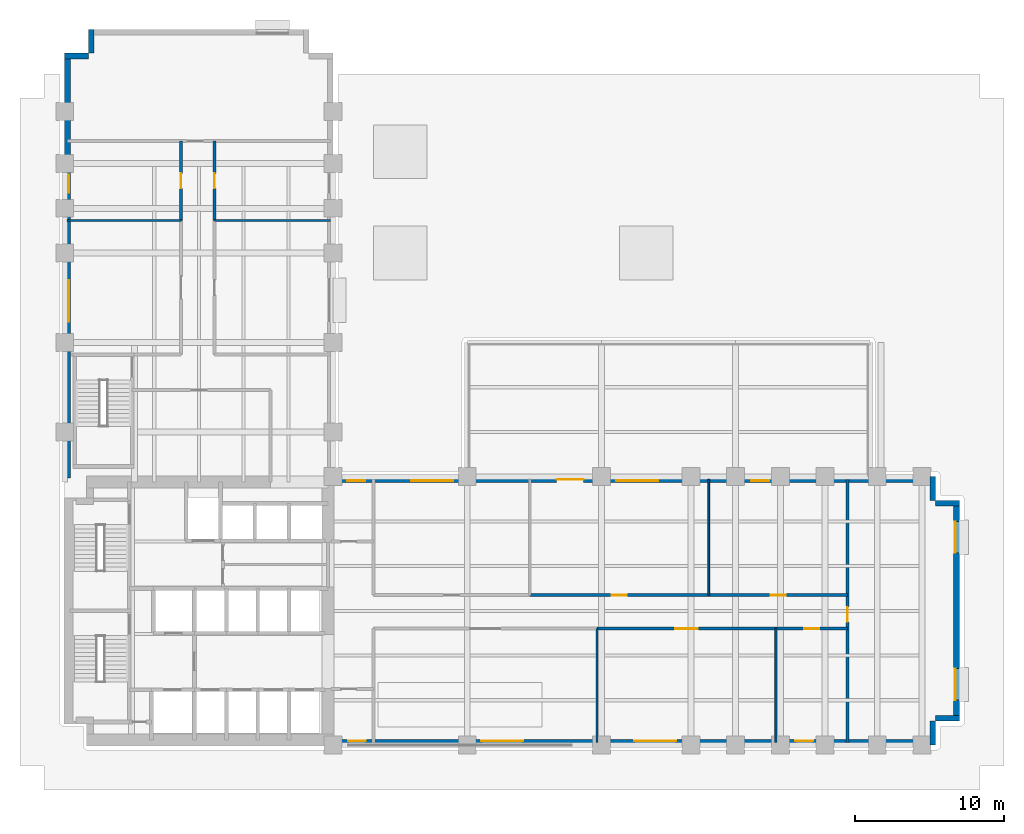
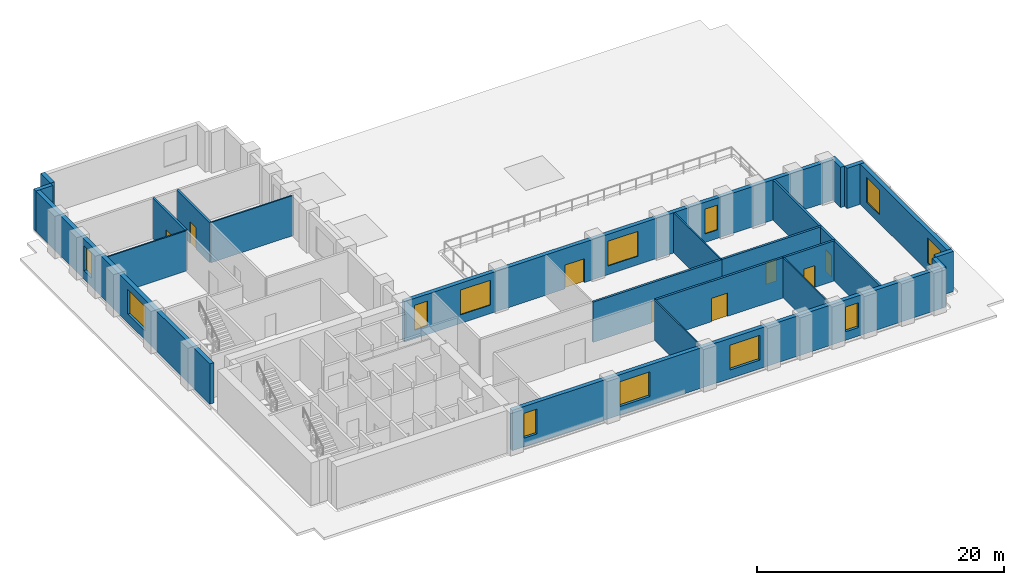
# One storey, part 6 of 9: 22 walls, 12 windows, 8 doors, 20 openings.
"""IFC4 building model written with IfcOpenShell, lengths in metres."""

from ifc_helpers import new_model, si_unit, direction, frame, frame_2d, origin, place, context, subcontext, project, spatial, rectangle, extrude, material, layer, layer_set, type_object, element, fill, save


model = new_model("IFC4")

# Units and contexts
model_context = context("Model", 3, precision=1e-05, world=origin(), true_north=direction((0.0, 1.0)))
body_context = subcontext(model_context, "Body", "Model", "MODEL_VIEW")
ifc_project = project(units=[si_unit("LENGTHUNIT", "METRE"), si_unit("AREAUNIT", "SQUARE_METRE"), si_unit("VOLUMEUNIT", "CUBIC_METRE"), si_unit("PLANEANGLEUNIT", "RADIAN"), si_unit("MASSUNIT", "GRAM", prefix="KILO")], contexts=[model_context])

# Site, building, storey
site_placement = place(None, origin())
site = spatial("IfcSite", under=ifc_project, at=site_placement, CompositionType="ELEMENT")
building_placement = place(site_placement, origin())
building = spatial("IfcBuilding", under=site, at=building_placement, Name="Mawjdan Bourse Tower", CompositionType="ELEMENT")
storey_placement = place(building_placement, frame((0.0, 0.0, 21.60009765625)))
storey = spatial("IfcBuildingStorey", under=building, at=storey_placement, Name="L04", CompositionType="ELEMENT", Elevation=21.60009765625)

# Wall, openings, windows
ifc_material_1 = material(Name="Brick Masonry Terracotta Red", Category="masonry")
ifc_layer_1 = layer(ifc_material_1, 0.3798828125)
ifc_layer_set_1 = layer_set([ifc_layer_1], Name="Brick Masonry Terracotta Red")
wall_type_1 = type_object("IfcWallType", Name="WL-BRK-RED-380", PredefinedType="STANDARD", material=ifc_layer_set_1)
wall_1_placement = place(storey_placement, frame((23.89990234375, 3.18994140625, 0.0), z_axis=(0.0, 0.0, 1.0), x_axis=(1.0, 0.0, 0.0)))
wall_1 = element("IfcWall", 1, at=wall_1_placement, inside=storey, type_object=wall_type_1, Name="L04 Exterior Brick Wall 1", PredefinedType="STANDARD", context=body_context, shape_type="SweptSolid", body=[
    extrude(rectangle(XDim=40.5, YDim=0.3798828125, at=frame_2d((20.25, 0.0))), origin(), (0.0, 0.0, 1.0), 3.97998046875),
])
opening_1_placement = place(wall_1_placement, frame((1.10009765625, 0.0, 0.85009765625)))
opening_1 = element("IfcOpeningElement", 2, at=opening_1_placement, cuts=wall_1, Name="Opening W-L04-06", PredefinedType="OPENING", context=body_context, shape_type="SweptSolid", body=[
    extrude(rectangle(XDim=1.199951171875, YDim=2.449951171875, at=frame_2d((0.60009765625, 1.22509765625))), frame((0.0, 0.199951171875, 0.0), z_axis=(0.0, -1.0, 0.0), x_axis=(1.0, 0.0, 0.0)), (0.0, 0.0, 1.0), 0.39990234375),
])
opening_2_placement = place(wall_1_placement, frame((10.054443359375, 0.0, 0.85009765625)))
opening_2 = element("IfcOpeningElement", 3, at=opening_2_placement, cuts=wall_1, Name="Opening W-L04-08", PredefinedType="OPENING", context=body_context, shape_type="SweptSolid", body=[
    extrude(rectangle(XDim=2.800048828125, YDim=2.449951171875, at=frame_2d((1.39990234375, 1.22509765625))), frame((0.0, 0.199951171875, 0.0), z_axis=(0.0, -1.0, 0.0), x_axis=(1.0, 0.0, 0.0)), (0.0, 0.0, 1.0), 0.39990234375),
])
opening_3_placement = place(wall_1_placement, frame((20.304443359375, 0.0, 0.85009765625)))
opening_3 = element("IfcOpeningElement", 4, at=opening_3_placement, cuts=wall_1, Name="Opening W-L04-09", PredefinedType="OPENING", context=body_context, shape_type="SweptSolid", body=[
    extrude(rectangle(XDim=2.800048828125, YDim=2.449951171875, at=frame_2d((1.39990234375, 1.22509765625))), frame((0.0, 0.199951171875, 0.0), z_axis=(0.0, -1.0, 0.0), x_axis=(1.0, 0.0, 0.0)), (0.0, 0.0, 1.0), 0.39990234375),
])
opening_4_placement = place(wall_1_placement, frame((31.1044921875, 0.0, 0.85009765625)))
opening_4 = element("IfcOpeningElement", 5, at=opening_4_placement, cuts=wall_1, Name="Opening W-L04-10", PredefinedType="OPENING", context=body_context, shape_type="SweptSolid", body=[
    extrude(rectangle(XDim=1.199951171875, YDim=2.449951171875, at=frame_2d((0.60009765625, 1.22509765625))), frame((0.0, 0.199951171875, 0.0), z_axis=(0.0, -1.0, 0.0), x_axis=(1.0, 0.0, 0.0)), (0.0, 0.0, 1.0), 0.39990234375),
])
ifc_material_2 = material(Name="Solar-Control Clear Double Glazing", Category="glass")
window_type_1 = type_object("IfcWindowType", Name="WN-TRD-1200", PartitioningType="SINGLE_PANEL", PredefinedType="WINDOW", material=ifc_material_2)
window_1_placement = place(opening_1_placement, origin())
window_1 = element("IfcWindow", 6, at=window_1_placement, inside=storey, type_object=window_type_1, Name="L04 Deep-Set Masonry Window W-L04-06", OverallHeight=2.449951171875, OverallWidth=1.199951171875, PartitioningType="SINGLE_PANEL", PredefinedType="WINDOW", context=body_context, shape_type="SweptSolid", body=[
    extrude(rectangle(XDim=1.199951171875, YDim=2.449951171875, at=frame_2d((0.60009765625, 1.22509765625))), frame((0.0, 0.110107421875, 0.0), z_axis=(0.0, -1.0, 0.0), x_axis=(1.0, 0.0, 0.0)), (0.0, 0.0, 1.0), 0.06005859375),
])
fill(opening_1, window_1)
window_2_placement = place(opening_4_placement, origin())
window_2 = element("IfcWindow", 7, at=window_2_placement, inside=storey, type_object=window_type_1, Name="L04 Deep-Set Masonry Window W-L04-10", OverallHeight=2.449951171875, OverallWidth=1.199951171875, PartitioningType="SINGLE_PANEL", PredefinedType="WINDOW", context=body_context, shape_type="SweptSolid", body=[
    extrude(rectangle(XDim=1.199951171875, YDim=2.449951171875, at=frame_2d((0.60009765625, 1.22509765625))), frame((0.0, 0.110107421875, 0.0), z_axis=(0.0, -1.0, 0.0), x_axis=(1.0, 0.0, 0.0)), (0.0, 0.0, 1.0), 0.06005859375),
])
fill(opening_4, window_2)
window_type_2 = type_object("IfcWindowType", Name="WN-TRD-2800", PartitioningType="SINGLE_PANEL", PredefinedType="WINDOW", material=ifc_material_2)
window_3_placement = place(opening_2_placement, origin())
window_3 = element("IfcWindow", 8, at=window_3_placement, inside=storey, type_object=window_type_2, Name="L04 Deep-Set Masonry Window W-L04-08", OverallHeight=2.449951171875, OverallWidth=2.800048828125, PartitioningType="SINGLE_PANEL", PredefinedType="WINDOW", context=body_context, shape_type="SweptSolid", body=[
    extrude(rectangle(XDim=2.800048828125, YDim=2.449951171875, at=frame_2d((1.39990234375, 1.22509765625))), frame((0.0, 0.110107421875, 0.0), z_axis=(0.0, -1.0, 0.0), x_axis=(1.0, 0.0, 0.0)), (0.0, 0.0, 1.0), 0.06005859375),
])
fill(opening_2, window_3)
window_4_placement = place(opening_3_placement, origin())
window_4 = element("IfcWindow", 9, at=window_4_placement, inside=storey, type_object=window_type_2, Name="L04 Deep-Set Masonry Window W-L04-09", OverallHeight=2.449951171875, OverallWidth=2.800048828125, PartitioningType="SINGLE_PANEL", PredefinedType="WINDOW", context=body_context, shape_type="SweptSolid", body=[
    extrude(rectangle(XDim=2.800048828125, YDim=2.449951171875, at=frame_2d((1.39990234375, 1.22509765625))), frame((0.0, 0.110107421875, 0.0), z_axis=(0.0, -1.0, 0.0), x_axis=(1.0, 0.0, 0.0)), (0.0, 0.0, 1.0), 0.06005859375),
])
fill(opening_3, window_4)

# Walls
for number, where, z_axis, x_axis, name in (
    (10, (64.2099609375, 3.0, 0.0), (0.0, 0.0, 1.0), (0.0, 1.0, 0.0), "L04 Exterior Brick Wall 2"),
    (11, (64.39990234375, 4.7900390625, 0.0), (0.0, 0.0, 1.0), (1.0, 0.0, 0.0), "L04 Exterior Brick Wall 3"),
):
    element("IfcWall", number, at=place(storey_placement, frame(where, z_axis=z_axis, x_axis=x_axis)), inside=storey, type_object=wall_type_1, Name=name, PredefinedType="STANDARD", context=body_context, shape_type="SweptSolid", body=[
        extrude(rectangle(XDim=1.60009765625, YDim=0.3798828125, at=frame_2d((0.800048828125, 0.0))), origin(), (0.0, 0.0, 1.0), 3.97998046875),
    ])

# Wall, openings, windows
wall_2_placement = place(storey_placement, frame((65.81005859375, 4.60009765625, 0.0), z_axis=(0.0, 0.0, 1.0), x_axis=(0.0, 1.0, 0.0)))
wall_2 = element("IfcWall", 12, at=wall_2_placement, inside=storey, type_object=wall_type_1, Name="L04 Exterior Brick Wall 4", PredefinedType="STANDARD", context=body_context, shape_type="SweptSolid", body=[
    extrude(rectangle(XDim=14.7998046875, YDim=0.3798828125, at=frame_2d((7.39990234375, 0.0))), origin(), (0.0, 0.0, 1.0), 3.97998046875),
])
opening_5_placement = place(wall_2_placement, frame((1.416748046875, 0.0, 0.85009765625)))
opening_5 = element("IfcOpeningElement", 13, at=opening_5_placement, cuts=wall_2, Name="Opening W-L04-01", PredefinedType="OPENING", context=body_context, shape_type="SweptSolid", body=[
    extrude(rectangle(XDim=2.10009765625, YDim=2.449951171875, at=frame_2d((1.050048828125, 1.22509765625))), frame((0.0, 0.199951171875, 0.0), z_axis=(0.0, -1.0, 0.0), x_axis=(1.0, 0.0, 0.0)), (0.0, 0.0, 1.0), 0.39990234375),
])
opening_6_placement = place(wall_2_placement, frame((11.283203125, 0.0, 0.85009765625)))
opening_6 = element("IfcOpeningElement", 14, at=opening_6_placement, cuts=wall_2, Name="Opening W-L04-02", PredefinedType="OPENING", context=body_context, shape_type="SweptSolid", body=[
    extrude(rectangle(XDim=2.10009765625, YDim=2.449951171875, at=frame_2d((1.050048828125, 1.22509765625))), frame((0.0, 0.199951171875, 0.0), z_axis=(0.0, -1.0, 0.0), x_axis=(1.0, 0.0, 0.0)), (0.0, 0.0, 1.0), 0.39990234375),
])
window_type_3 = type_object("IfcWindowType", Name="WN-TRD-2100", PartitioningType="SINGLE_PANEL", PredefinedType="WINDOW", material=ifc_material_2)
window_5_placement = place(opening_5_placement, origin())
window_5 = element("IfcWindow", 15, at=window_5_placement, inside=storey, type_object=window_type_3, Name="L04 Deep-Set Masonry Window W-L04-01", OverallHeight=2.449951171875, OverallWidth=2.10009765625, PartitioningType="SINGLE_PANEL", PredefinedType="WINDOW", context=body_context, shape_type="SweptSolid", body=[
    extrude(rectangle(XDim=2.10009765625, YDim=2.449951171875, at=frame_2d((1.050048828125, 1.22509765625))), frame((0.0, 0.110107421875, 0.0), z_axis=(0.0, -1.0, 0.0), x_axis=(1.0, 0.0, 0.0)), (0.0, 0.0, 1.0), 0.06005859375),
])
fill(opening_5, window_5)
window_6_placement = place(opening_6_placement, origin())
window_6 = element("IfcWindow", 16, at=window_6_placement, inside=storey, type_object=window_type_3, Name="L04 Deep-Set Masonry Window W-L04-02", OverallHeight=2.449951171875, OverallWidth=2.10009765625, PartitioningType="SINGLE_PANEL", PredefinedType="WINDOW", context=body_context, shape_type="SweptSolid", body=[
    extrude(rectangle(XDim=2.10009765625, YDim=2.449951171875, at=frame_2d((1.050048828125, 1.22509765625))), frame((0.0, 0.110107421875, 0.0), z_axis=(0.0, -1.0, 0.0), x_axis=(1.0, 0.0, 0.0)), (0.0, 0.0, 1.0), 0.06005859375),
])
fill(opening_6, window_6)

# Walls
for number, where, z_axis, x_axis, name in (
    (17, (66.0, 19.2099609375, 0.0), (0.0, 0.0, 1.0), (-1.0, 0.0, 0.0), "L04 Exterior Brick Wall 5"),
    (18, (64.2099609375, 19.39990234375, 0.0), (0.0, 0.0, 1.0), (0.0, 1.0, 0.0), "L04 Exterior Brick Wall 6"),
):
    element("IfcWall", number, at=place(storey_placement, frame(where, z_axis=z_axis, x_axis=x_axis)), inside=storey, type_object=wall_type_1, Name=name, PredefinedType="STANDARD", context=body_context, shape_type="SweptSolid", body=[
        extrude(rectangle(XDim=1.60009765625, YDim=0.3798828125, at=frame_2d((0.800048828125, 0.0))), origin(), (0.0, 0.0, 1.0), 3.97998046875),
    ])

# Wall, openings, door, windows
wall_3_placement = place(storey_placement, frame((64.39990234375, 20.81005859375, 0.0), z_axis=(0.0, 0.0, 1.0), x_axis=(-1.0, 0.0, 0.0)))
wall_3 = element("IfcWall", 19, at=wall_3_placement, inside=storey, type_object=wall_type_1, Name="L04 Exterior Brick Wall 7", PredefinedType="STANDARD", context=body_context, shape_type="SweptSolid", body=[
    extrude(rectangle(XDim=40.39990234375, YDim=0.3798828125, at=frame_2d((20.199951171875, 0.0))), origin(), (0.0, 0.0, 1.0), 3.97998046875),
])
opening_7_placement = place(wall_3_placement, frame((23.60009765625, 0.0, 0.0)))
opening_7 = element("IfcOpeningElement", 20, at=opening_7_placement, cuts=wall_3, Name="Opening TD-L04-01", PredefinedType="OPENING", context=body_context, shape_type="SweptSolid", body=[
    extrude(rectangle(XDim=1.800048828125, YDim=2.35009765625, at=frame_2d((0.89990234375, 1.175048828125))), frame((0.0, 0.199951171875, 0.0), z_axis=(0.0, -1.0, 0.0), x_axis=(1.0, 0.0, 0.0)), (0.0, 0.0, 1.0), 0.39990234375),
])
opening_8_placement = place(wall_3_placement, frame((38.23388671875, 0.0, 0.85009765625)))
opening_8 = element("IfcOpeningElement", 21, at=opening_8_placement, cuts=wall_3, Name="Opening W-L04-07", PredefinedType="OPENING", context=body_context, shape_type="SweptSolid", body=[
    extrude(rectangle(XDim=1.199951171875, YDim=2.449951171875, at=frame_2d((0.60009765625, 1.22509765625))), frame((0.0, 0.199951171875, 0.0), z_axis=(0.0, -1.0, 0.0), x_axis=(1.0, 0.0, 0.0)), (0.0, 0.0, 1.0), 0.39990234375),
])
opening_9_placement = place(wall_3_placement, frame((32.3544921875, 0.0, 0.85009765625)))
opening_9 = element("IfcOpeningElement", 22, at=opening_9_placement, cuts=wall_3, Name="Opening W-L04-11", PredefinedType="OPENING", context=body_context, shape_type="SweptSolid", body=[
    extrude(rectangle(XDim=2.800048828125, YDim=2.449951171875, at=frame_2d((1.39990234375, 1.22509765625))), frame((0.0, 0.199951171875, 0.0), z_axis=(0.0, -1.0, 0.0), x_axis=(1.0, 0.0, 0.0)), (0.0, 0.0, 1.0), 0.39990234375),
])
opening_10_placement = place(wall_3_placement, frame((18.6044921875, 0.0, 0.85009765625)))
opening_10 = element("IfcOpeningElement", 23, at=opening_10_placement, cuts=wall_3, Name="Opening W-L04-12", PredefinedType="OPENING", context=body_context, shape_type="SweptSolid", body=[
    extrude(rectangle(XDim=2.800048828125, YDim=2.449951171875, at=frame_2d((1.39990234375, 1.22509765625))), frame((0.0, 0.199951171875, 0.0), z_axis=(0.0, -1.0, 0.0), x_axis=(1.0, 0.0, 0.0)), (0.0, 0.0, 1.0), 0.39990234375),
])
opening_11_placement = place(wall_3_placement, frame((11.154296875, 0.0, 0.85009765625)))
opening_11 = element("IfcOpeningElement", 24, at=opening_11_placement, cuts=wall_3, Name="Opening W-L04-13", PredefinedType="OPENING", context=body_context, shape_type="SweptSolid", body=[
    extrude(rectangle(XDim=1.199951171875, YDim=2.449951171875, at=frame_2d((0.60009765625, 1.22509765625))), frame((0.0, 0.199951171875, 0.0), z_axis=(0.0, -1.0, 0.0), x_axis=(1.0, 0.0, 0.0)), (0.0, 0.0, 1.0), 0.39990234375),
])
ifc_material_3 = material(Name="Thermally Broken Glazed Aluminium", Category="aluminium")
door_type_1 = type_object("IfcDoorType", Name="DR-TER-1800", OperationType="DOUBLE_DOOR_SINGLE_SWING", PredefinedType="DOOR", material=ifc_material_3)
door_1_placement = place(opening_7_placement, frame((1.800048828125, 0.0, 0.0), z_axis=(0.0, 0.0, 1.0), x_axis=(-1.0, 0.0, 0.0)))
door_1 = element("IfcDoor", 25, at=door_1_placement, inside=storey, type_object=door_type_1, Name="L04 Podium Roof Sky Terrace Door", OperationType="DOUBLE_DOOR_SINGLE_SWING", OverallHeight=2.35009765625, OverallWidth=1.800048828125, PredefinedType="DOOR", context=body_context, shape_type="SweptSolid", body=[
    extrude(rectangle(XDim=1.800048828125, YDim=2.35009765625, at=frame_2d((0.89990234375, 1.175048828125))), frame((0.0, 0.02490234375, 0.0), z_axis=(0.0, -1.0, 0.0), x_axis=(1.0, 0.0, 0.0)), (0.0, 0.0, 1.0), 0.050048828125),
])
fill(opening_7, door_1)
window_7_placement = place(opening_8_placement, origin())
window_7 = element("IfcWindow", 26, at=window_7_placement, inside=storey, type_object=window_type_1, Name="L04 Deep-Set Masonry Window W-L04-07", OverallHeight=2.449951171875, OverallWidth=1.199951171875, PartitioningType="SINGLE_PANEL", PredefinedType="WINDOW", context=body_context, shape_type="SweptSolid", body=[
    extrude(rectangle(XDim=1.199951171875, YDim=2.449951171875, at=frame_2d((0.60009765625, 1.22509765625))), frame((0.0, 0.110107421875, 0.0), z_axis=(0.0, -1.0, 0.0), x_axis=(1.0, 0.0, 0.0)), (0.0, 0.0, 1.0), 0.06005859375),
])
fill(opening_8, window_7)
window_8_placement = place(opening_11_placement, origin())
window_8 = element("IfcWindow", 27, at=window_8_placement, inside=storey, type_object=window_type_1, Name="L04 Deep-Set Masonry Window W-L04-13", OverallHeight=2.449951171875, OverallWidth=1.199951171875, PartitioningType="SINGLE_PANEL", PredefinedType="WINDOW", context=body_context, shape_type="SweptSolid", body=[
    extrude(rectangle(XDim=1.199951171875, YDim=2.449951171875, at=frame_2d((0.60009765625, 1.22509765625))), frame((0.0, 0.110107421875, 0.0), z_axis=(0.0, -1.0, 0.0), x_axis=(1.0, 0.0, 0.0)), (0.0, 0.0, 1.0), 0.06005859375),
])
fill(opening_11, window_8)
window_9_placement = place(opening_9_placement, origin())
window_9 = element("IfcWindow", 28, at=window_9_placement, inside=storey, type_object=window_type_2, Name="L04 Deep-Set Masonry Window W-L04-11", OverallHeight=2.449951171875, OverallWidth=2.800048828125, PartitioningType="SINGLE_PANEL", PredefinedType="WINDOW", context=body_context, shape_type="SweptSolid", body=[
    extrude(rectangle(XDim=2.800048828125, YDim=2.449951171875, at=frame_2d((1.39990234375, 1.22509765625))), frame((0.0, 0.110107421875, 0.0), z_axis=(0.0, -1.0, 0.0), x_axis=(1.0, 0.0, 0.0)), (0.0, 0.0, 1.0), 0.06005859375),
])
fill(opening_9, window_9)
window_10_placement = place(opening_10_placement, origin())
window_10 = element("IfcWindow", 29, at=window_10_placement, inside=storey, type_object=window_type_2, Name="L04 Deep-Set Masonry Window W-L04-12", OverallHeight=2.449951171875, OverallWidth=2.800048828125, PartitioningType="SINGLE_PANEL", PredefinedType="WINDOW", context=body_context, shape_type="SweptSolid", body=[
    extrude(rectangle(XDim=2.800048828125, YDim=2.449951171875, at=frame_2d((1.39990234375, 1.22509765625))), frame((0.0, 0.110107421875, 0.0), z_axis=(0.0, -1.0, 0.0), x_axis=(1.0, 0.0, 0.0)), (0.0, 0.0, 1.0), 0.06005859375),
])
fill(opening_10, window_10)

# Walls
for number, where, z_axis, x_axis, name in (
    (30, (7.7900390625, 51.0, 0.0), (0.0, 0.0, 1.0), (0.0, -1.0, 0.0), "L04 Exterior Brick Wall 12"),
    (31, (7.60009765625, 49.2099609375, 0.0), (0.0, 0.0, 1.0), (-1.0, 0.0, 0.0), "L04 Exterior Brick Wall 13"),
):
    element("IfcWall", number, at=place(storey_placement, frame(where, z_axis=z_axis, x_axis=x_axis)), inside=storey, type_object=wall_type_1, Name=name, PredefinedType="STANDARD", context=body_context, shape_type="SweptSolid", body=[
        extrude(rectangle(XDim=1.60009765625, YDim=0.3798828125, at=frame_2d((0.800048828125, 0.0))), origin(), (0.0, 0.0, 1.0), 3.97998046875),
    ])

# Wall, openings, windows
wall_4_placement = place(storey_placement, frame((6.18994140625, 49.39990234375, 0.0), z_axis=(0.0, 0.0, 1.0), x_axis=(0.0, -1.0, 0.0)))
wall_4 = element("IfcWall", 32, at=wall_4_placement, inside=storey, type_object=wall_type_1, Name="L04 Exterior Brick Wall 14", PredefinedType="STANDARD", context=body_context, shape_type="SweptSolid", body=[
    extrude(rectangle(XDim=28.5, YDim=0.3798828125, at=frame_2d((14.25, 0.0))), origin(), (0.0, 0.0, 1.0), 3.97998046875),
])
opening_12_placement = place(wall_4_placement, frame((15.22509765625, 0.0, 0.85009765625)))
opening_12 = element("IfcOpeningElement", 33, at=opening_12_placement, cuts=wall_4, Name="Opening W-L04-05", PredefinedType="OPENING", context=body_context, shape_type="SweptSolid", body=[
    extrude(rectangle(XDim=2.800048828125, YDim=2.449951171875, at=frame_2d((1.39990234375, 1.22509765625))), frame((0.0, 0.199951171875, 0.0), z_axis=(0.0, -1.0, 0.0), x_axis=(1.0, 0.0, 0.0)), (0.0, 0.0, 1.0), 0.39990234375),
])
opening_13_placement = place(wall_4_placement, frame((8.154296875, 0.0, 0.85009765625)))
opening_13 = element("IfcOpeningElement", 34, at=opening_13_placement, cuts=wall_4, Name="Opening W-L04-14", PredefinedType="OPENING", context=body_context, shape_type="SweptSolid", body=[
    extrude(rectangle(XDim=1.199951171875, YDim=2.449951171875, at=frame_2d((0.60009765625, 1.22509765625))), frame((0.0, 0.199951171875, 0.0), z_axis=(0.0, -1.0, 0.0), x_axis=(1.0, 0.0, 0.0)), (0.0, 0.0, 1.0), 0.39990234375),
])
window_11_placement = place(opening_13_placement, origin())
window_11 = element("IfcWindow", 35, at=window_11_placement, inside=storey, type_object=window_type_1, Name="L04 Deep-Set Masonry Window W-L04-14", OverallHeight=2.449951171875, OverallWidth=1.199951171875, PartitioningType="SINGLE_PANEL", PredefinedType="WINDOW", context=body_context, shape_type="SweptSolid", body=[
    extrude(rectangle(XDim=1.199951171875, YDim=2.449951171875, at=frame_2d((0.60009765625, 1.22509765625))), frame((0.0, 0.110107421875, 0.0), z_axis=(0.0, -1.0, 0.0), x_axis=(1.0, 0.0, 0.0)), (0.0, 0.0, 1.0), 0.06005859375),
])
fill(opening_13, window_11)
window_12_placement = place(opening_12_placement, origin())
window_12 = element("IfcWindow", 36, at=window_12_placement, inside=storey, type_object=window_type_2, Name="L04 Deep-Set Masonry Window W-L04-05", OverallHeight=2.449951171875, OverallWidth=2.800048828125, PartitioningType="SINGLE_PANEL", PredefinedType="WINDOW", context=body_context, shape_type="SweptSolid", body=[
    extrude(rectangle(XDim=2.800048828125, YDim=2.449951171875, at=frame_2d((1.39990234375, 1.22509765625))), frame((0.0, 0.110107421875, 0.0), z_axis=(0.0, -1.0, 0.0), x_axis=(1.0, 0.0, 0.0)), (0.0, 0.0, 1.0), 0.06005859375),
])
fill(opening_12, window_12)

# Wall, opening, door
ifc_material_4 = material(Name="Gypsum Fireboard Assembly")
ifc_layer_2 = layer(ifc_material_4, 0.199951171875)
ifc_layer_set_2 = layer_set([ifc_layer_2], Name="Gypsum Fireboard Assembly")
wall_type_2 = type_object("IfcWallType", Name="WL-CMP-200", PredefinedType="PARTITIONING", material=ifc_layer_set_2)
wall_5_placement = place(storey_placement, frame((41.699951171875, 10.800048828125, 0.0), z_axis=(0.0, 0.0, 1.0), x_axis=(1.0, 0.0, 0.0)))
wall_5 = element("IfcWall", 37, at=wall_5_placement, inside=storey, type_object=wall_type_2, Name="L04 Conference Room Corridor Wall", PredefinedType="PARTITIONING", context=body_context, shape_type="SweptSolid", body=[
    extrude(rectangle(XDim=12.0, YDim=0.199951171875, at=frame_2d((6.0, 0.0))), origin(), (0.0, 0.0, 1.0), 3.969970703125),
])
opening_14_placement = place(wall_5_placement, frame((5.25, 0.0, 0.0)))
opening_14 = element("IfcOpeningElement", 38, at=opening_14_placement, cuts=wall_5, Name="Opening D-L04-20", PredefinedType="OPENING", context=body_context, shape_type="SweptSolid", body=[
    extrude(rectangle(XDim=1.5, YDim=2.300048828125, at=frame_2d((0.75, 1.14990234375))), frame((0.0, 0.10986328125, 0.0), z_axis=(0.0, -1.0, 0.0), x_axis=(1.0, 0.0, 0.0)), (0.0, 0.0, 1.0), 0.219970703125),
])
ifc_material_5 = material(Name="Acoustic Glazed Timber", Category="wood")
door_type_2 = type_object("IfcDoorType", Name="DR-CNF-1500", OperationType="DOUBLE_DOOR_SINGLE_SWING", PredefinedType="DOOR", material=ifc_material_5)
door_2_placement = place(opening_14_placement, origin())
door_2 = element("IfcDoor", 39, at=door_2_placement, inside=storey, type_object=door_type_2, Name="L04 Conference Room Door D-L04-20", OperationType="DOUBLE_DOOR_SINGLE_SWING", OverallHeight=2.300048828125, OverallWidth=1.5, PredefinedType="DOOR", context=body_context, shape_type="SweptSolid", body=[
    extrude(rectangle(XDim=1.5, YDim=2.300048828125, at=frame_2d((0.75, 1.14990234375))), frame((0.0, 0.02490234375, 0.0), z_axis=(0.0, -1.0, 0.0), x_axis=(1.0, 0.0, 0.0)), (0.0, 0.0, 1.0), 0.050048828125),
])
fill(opening_14, door_2)

wall_6_placement = place(storey_placement, frame((53.699951171875, 10.800048828125, 0.0), z_axis=(0.0, 0.0, 1.0), x_axis=(1.0, 0.0, 0.0)))
wall_6 = element("IfcWall", 40, at=wall_6_placement, inside=storey, type_object=wall_type_2, Name="L04 Executive Office Corridor Wall", PredefinedType="PARTITIONING", context=body_context, shape_type="SweptSolid", body=[
    extrude(rectangle(XDim=4.800048828125, YDim=0.199951171875, at=frame_2d((2.39990234375, 0.0))), origin(), (0.0, 0.0, 1.0), 3.969970703125),
])
opening_15_placement = place(wall_6_placement, frame((1.89990234375, 0.0, 0.0)))
opening_15 = element("IfcOpeningElement", 41, at=opening_15_placement, cuts=wall_6, Name="Opening D-L04-21", PredefinedType="OPENING", context=body_context, shape_type="SweptSolid", body=[
    extrude(rectangle(XDim=1.0, YDim=2.14990234375, at=frame_2d((0.5, 1.074951171875))), frame((0.0, 0.10986328125, 0.0), z_axis=(0.0, -1.0, 0.0), x_axis=(1.0, 0.0, 0.0)), (0.0, 0.0, 1.0), 0.219970703125),
])
ifc_material_6 = material(Name="Hardwood Acoustic Leaf", Category="wood")
door_type_3 = type_object("IfcDoorType", Name="DR-OFC-1000", OperationType="NOTDEFINED", PredefinedType="DOOR", material=ifc_material_6)
door_3_placement = place(opening_15_placement, origin())
door_3 = element("IfcDoor", 42, at=door_3_placement, inside=storey, type_object=door_type_3, Name="L04 Executive Office Door D-L04-21", OperationType="SINGLE_SWING_RIGHT", OverallHeight=2.14990234375, OverallWidth=1.0, PredefinedType="DOOR", context=body_context, shape_type="SweptSolid", body=[
    extrude(rectangle(XDim=1.0, YDim=2.14990234375, at=frame_2d((0.5, 1.074951171875))), frame((0.0, 0.02490234375, 0.0), z_axis=(0.0, -1.0, 0.0), x_axis=(1.0, 0.0, 0.0)), (0.0, 0.0, 1.0), 0.050048828125),
])
fill(opening_15, door_3)

wall_7_placement = place(storey_placement, frame((37.199951171875, 13.050048828125, 0.0), z_axis=(0.0, 0.0, 1.0), x_axis=(1.0, 0.0, 0.0)))
wall_7 = element("IfcWall", 43, at=wall_7_placement, inside=storey, type_object=wall_type_2, Name="L04 Reception Salon Corridor Wall", PredefinedType="PARTITIONING", context=body_context, shape_type="SweptSolid", body=[
    extrude(rectangle(XDim=12.0, YDim=0.199951171875, at=frame_2d((6.0, 0.0))), origin(), (0.0, 0.0, 1.0), 3.969970703125),
])
opening_16_placement = place(wall_7_placement, frame((5.5, 0.0, 0.0)))
opening_16 = element("IfcOpeningElement", 44, at=opening_16_placement, cuts=wall_7, Name="Opening D-L04-23", PredefinedType="OPENING", context=body_context, shape_type="SweptSolid", body=[
    extrude(rectangle(XDim=1.0, YDim=2.14990234375, at=frame_2d((0.5, 1.074951171875))), frame((0.0, 0.10986328125, 0.0), z_axis=(0.0, -1.0, 0.0), x_axis=(1.0, 0.0, 0.0)), (0.0, 0.0, 1.0), 0.219970703125),
])
door_4_placement = place(opening_16_placement, origin())
door_4 = element("IfcDoor", 45, at=door_4_placement, inside=storey, type_object=door_type_3, Name="L04 Reception Salon Door D-L04-23", OperationType="SINGLE_SWING_RIGHT", OverallHeight=2.14990234375, OverallWidth=1.0, PredefinedType="DOOR", context=body_context, shape_type="SweptSolid", body=[
    extrude(rectangle(XDim=1.0, YDim=2.14990234375, at=frame_2d((0.5, 1.074951171875))), frame((0.0, 0.02490234375, 0.0), z_axis=(0.0, -1.0, 0.0), x_axis=(1.0, 0.0, 0.0)), (0.0, 0.0, 1.0), 0.050048828125),
])
fill(opening_16, door_4)

wall_8_placement = place(storey_placement, frame((49.199951171875, 13.050048828125, 0.0), z_axis=(0.0, 0.0, 1.0), x_axis=(1.0, 0.0, 0.0)))
wall_8 = element("IfcWall", 46, at=wall_8_placement, inside=storey, type_object=wall_type_2, Name="L04 Staff Pantry Lounge Corridor Wall", PredefinedType="PARTITIONING", context=body_context, shape_type="SweptSolid", body=[
    extrude(rectangle(XDim=9.300048828125, YDim=0.199951171875, at=frame_2d((4.64990234375, 0.0))), origin(), (0.0, 0.0, 1.0), 3.969970703125),
])
opening_17_placement = place(wall_8_placement, frame((4.14990234375, 0.0, 0.0)))
opening_17 = element("IfcOpeningElement", 47, at=opening_17_placement, cuts=wall_8, Name="Opening D-L04-24", PredefinedType="OPENING", context=body_context, shape_type="SweptSolid", body=[
    extrude(rectangle(XDim=1.0, YDim=2.14990234375, at=frame_2d((0.5, 1.074951171875))), frame((0.0, 0.10986328125, 0.0), z_axis=(0.0, -1.0, 0.0), x_axis=(1.0, 0.0, 0.0)), (0.0, 0.0, 1.0), 0.219970703125),
])
door_5_placement = place(opening_17_placement, origin())
door_5 = element("IfcDoor", 48, at=door_5_placement, inside=storey, type_object=door_type_3, Name="L04 Staff Pantry Lounge Door D-L04-24", OperationType="SINGLE_SWING_LEFT", OverallHeight=2.14990234375, OverallWidth=1.0, PredefinedType="DOOR", context=body_context, shape_type="SweptSolid", body=[
    extrude(rectangle(XDim=1.0, YDim=2.14990234375, at=frame_2d((0.5, 1.074951171875))), frame((0.0, 0.02490234375, 0.0), z_axis=(0.0, -1.0, 0.0), x_axis=(1.0, 0.0, 0.0)), (0.0, 0.0, 1.0), 0.050048828125),
])
fill(opening_17, door_5)

wall_9_placement = place(storey_placement, frame((58.5, 3.179931640625, 0.0), z_axis=(0.0, 0.0, 1.0), x_axis=(0.0, 1.0, 0.0)))
wall_9 = element("IfcWall", 49, at=wall_9_placement, inside=storey, type_object=wall_type_2, Name="L04 East Tip Full Cross Wall", PredefinedType="PARTITIONING", context=body_context, shape_type="SweptSolid", body=[
    extrude(rectangle(XDim=17.64013671875, YDim=0.199951171875, at=frame_2d((8.820068359375, 0.0))), origin(), (0.0, 0.0, 1.0), 3.969970703125),
])
opening_18_placement = place(wall_9_placement, frame((8.074951171875, 0.0, 0.0)))
opening_18 = element("IfcOpeningElement", 50, at=opening_18_placement, cuts=wall_9, Name="Opening D-L04-25", PredefinedType="OPENING", context=body_context, shape_type="SweptSolid", body=[
    extrude(rectangle(XDim=1.0, YDim=2.14990234375, at=frame_2d((0.5, 1.074951171875))), frame((0.0, 0.10986328125, 0.0), z_axis=(0.0, -1.0, 0.0), x_axis=(1.0, 0.0, 0.0)), (0.0, 0.0, 1.0), 0.219970703125),
])
door_6_placement = place(opening_18_placement, origin())
door_6 = element("IfcDoor", 51, at=door_6_placement, inside=storey, type_object=door_type_3, Name="L04 East Tip Hall Door D-L04-25", OperationType="SINGLE_SWING_RIGHT", OverallHeight=2.14990234375, OverallWidth=1.0, PredefinedType="DOOR", context=body_context, shape_type="SweptSolid", body=[
    extrude(rectangle(XDim=1.0, YDim=2.14990234375, at=frame_2d((0.5, 1.074951171875))), frame((0.0, 0.02490234375, 0.0), z_axis=(0.0, -1.0, 0.0), x_axis=(1.0, 0.0, 0.0)), (0.0, 0.0, 1.0), 0.050048828125),
])
fill(opening_18, door_6)

wall_10_placement = place(storey_placement, frame((13.800048828125, 38.179931640625, 0.0), z_axis=(0.0, 0.0, 1.0), x_axis=(0.0, 1.0, 0.0)))
wall_10 = element("IfcWall", 52, at=wall_10_placement, inside=storey, type_object=wall_type_2, Name="L04 Executive Office Corridor Wall", PredefinedType="PARTITIONING", context=body_context, shape_type="SweptSolid", body=[
    extrude(rectangle(XDim=5.320068359375, YDim=0.199951171875, at=frame_2d((2.66015625, 0.0))), origin(), (0.0, 0.0, 1.0), 3.969970703125),
])
opening_19_placement = place(wall_10_placement, frame((2.159912109375, 0.0, 0.0)))
opening_19 = element("IfcOpeningElement", 53, at=opening_19_placement, cuts=wall_10, Name="Opening D-L04-28", PredefinedType="OPENING", context=body_context, shape_type="SweptSolid", body=[
    extrude(rectangle(XDim=1.0, YDim=2.14990234375, at=frame_2d((0.5, 1.074951171875))), frame((0.0, 0.10986328125, 0.0), z_axis=(0.0, -1.0, 0.0), x_axis=(1.0, 0.0, 0.0)), (0.0, 0.0, 1.0), 0.219970703125),
])
door_7_placement = place(opening_19_placement, origin())
door_7 = element("IfcDoor", 54, at=door_7_placement, inside=storey, type_object=door_type_3, Name="L04 Executive Office Door D-L04-28", OperationType="SINGLE_SWING_RIGHT", OverallHeight=2.14990234375, OverallWidth=1.0, PredefinedType="DOOR", context=body_context, shape_type="SweptSolid", body=[
    extrude(rectangle(XDim=1.0, YDim=2.14990234375, at=frame_2d((0.5, 1.074951171875))), frame((0.0, 0.02490234375, 0.0), z_axis=(0.0, -1.0, 0.0), x_axis=(1.0, 0.0, 0.0)), (0.0, 0.0, 1.0), 0.050048828125),
])
fill(opening_19, door_7)

wall_11_placement = place(storey_placement, frame((16.050048828125, 38.179931640625, 0.0), z_axis=(0.0, 0.0, 1.0), x_axis=(0.0, 1.0, 0.0)))
wall_11 = element("IfcWall", 55, at=wall_11_placement, inside=storey, type_object=wall_type_2, Name="L04 Staff Pantry Lounge Corridor Wall", PredefinedType="PARTITIONING", context=body_context, shape_type="SweptSolid", body=[
    extrude(rectangle(XDim=5.320068359375, YDim=0.199951171875, at=frame_2d((2.66015625, 0.0))), origin(), (0.0, 0.0, 1.0), 3.969970703125),
])
opening_20_placement = place(wall_11_placement, frame((2.159912109375, 0.0, 0.0)))
opening_20 = element("IfcOpeningElement", 56, at=opening_20_placement, cuts=wall_11, Name="Opening D-L04-30", PredefinedType="OPENING", context=body_context, shape_type="SweptSolid", body=[
    extrude(rectangle(XDim=1.0, YDim=2.14990234375, at=frame_2d((0.5, 1.074951171875))), frame((0.0, 0.10986328125, 0.0), z_axis=(0.0, -1.0, 0.0), x_axis=(1.0, 0.0, 0.0)), (0.0, 0.0, 1.0), 0.219970703125),
])
door_8_placement = place(opening_20_placement, origin())
door_8 = element("IfcDoor", 57, at=door_8_placement, inside=storey, type_object=door_type_3, Name="L04 Staff Pantry Lounge Door D-L04-30", OperationType="SINGLE_SWING_RIGHT", OverallHeight=2.14990234375, OverallWidth=1.0, PredefinedType="DOOR", context=body_context, shape_type="SweptSolid", body=[
    extrude(rectangle(XDim=1.0, YDim=2.14990234375, at=frame_2d((0.5, 1.074951171875))), frame((0.0, 0.02490234375, 0.0), z_axis=(0.0, -1.0, 0.0), x_axis=(1.0, 0.0, 0.0)), (0.0, 0.0, 1.0), 0.050048828125),
])
fill(opening_20, door_8)

# Walls
ifc_material_7 = material(Name="Gypsum Partition")
ifc_layer_3 = layer(ifc_material_7, 0.125)
ifc_layer_set_3 = layer_set([ifc_layer_3], Name="Gypsum Partition")
wall_type_3 = type_object("IfcWallType", Name="WL-PRT-125", PredefinedType="PARTITIONING", material=ifc_layer_set_3)
for number, where, z_axis, x_axis, name in (
    (58, (41.699951171875, 3.179931640625, 0.0), (0.0, 0.0, 1.0), (0.0, 1.0, 0.0), "L04 Conference Room Partition"),
    (59, (53.699951171875, 3.179931640625, 0.0), (0.0, 0.0, 1.0), (0.0, 1.0, 0.0), "L04 Executive Office Partition"),
):
    element("IfcWall", number, at=place(storey_placement, frame(where, z_axis=z_axis, x_axis=x_axis)), inside=storey, type_object=wall_type_3, Name=name, PredefinedType="PARTITIONING", context=body_context, shape_type="SweptSolid", body=[
        extrude(rectangle(XDim=7.6201171875, YDim=0.125, at=frame_2d((3.81005859375, 0.0))), origin(), (0.0, 0.0, 1.0), 3.969970703125),
    ])
wall_12_placement = place(storey_placement, frame((49.199951171875, 13.050048828125, 0.0), z_axis=(0.0, 0.0, 1.0), x_axis=(0.0, 1.0, 0.0)))
element("IfcWall", 60, at=wall_12_placement, inside=storey, type_object=wall_type_3, Name="L04 Staff Pantry Lounge Partition", PredefinedType="PARTITIONING", context=body_context, shape_type="SweptSolid", body=[
    extrude(rectangle(XDim=7.77001953125, YDim=0.125, at=frame_2d((3.885009765625, 0.0))), origin(), (0.0, 0.0, 1.0), 3.969970703125),
])
wall_13_placement = place(storey_placement, frame((6.179931640625, 38.179931640625, 0.0), z_axis=(0.0, 0.0, 1.0), x_axis=(1.0, 0.0, 0.0)))
element("IfcWall", 61, at=wall_13_placement, inside=storey, type_object=wall_type_3, Name="L04 Executive Office Partition", PredefinedType="PARTITIONING", context=body_context, shape_type="SweptSolid", body=[
    extrude(rectangle(XDim=7.6201171875, YDim=0.125, at=frame_2d((3.81005859375, 0.0))), origin(), (0.0, 0.0, 1.0), 3.969970703125),
])
wall_14_placement = place(storey_placement, frame((16.050048828125, 38.179931640625, 0.0), z_axis=(0.0, 0.0, 1.0), x_axis=(1.0, 0.0, 0.0)))
element("IfcWall", 62, at=wall_14_placement, inside=storey, type_object=wall_type_3, Name="L04 Staff Pantry Lounge Partition", PredefinedType="PARTITIONING", context=body_context, shape_type="SweptSolid", body=[
    extrude(rectangle(XDim=7.77001953125, YDim=0.125, at=frame_2d((3.885009765625, 0.0))), origin(), (0.0, 0.0, 1.0), 3.969970703125),
])

save(model, "model.ifc")
